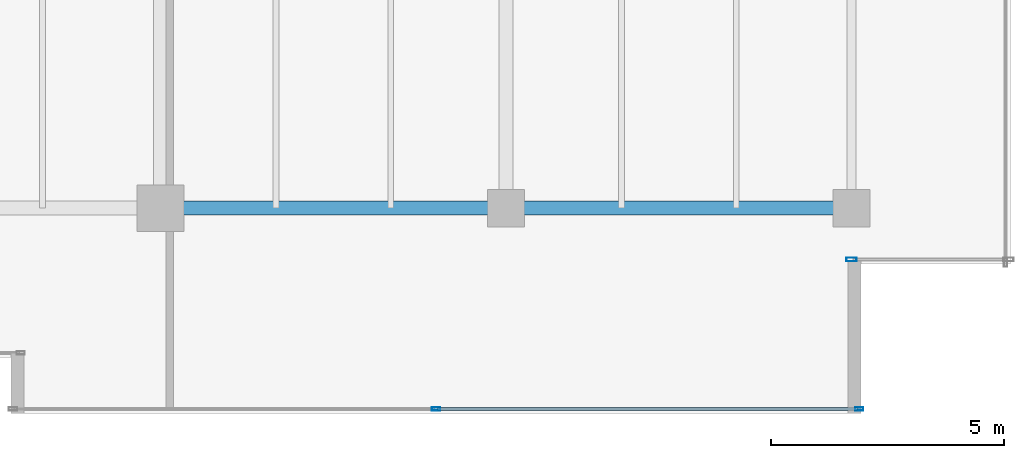
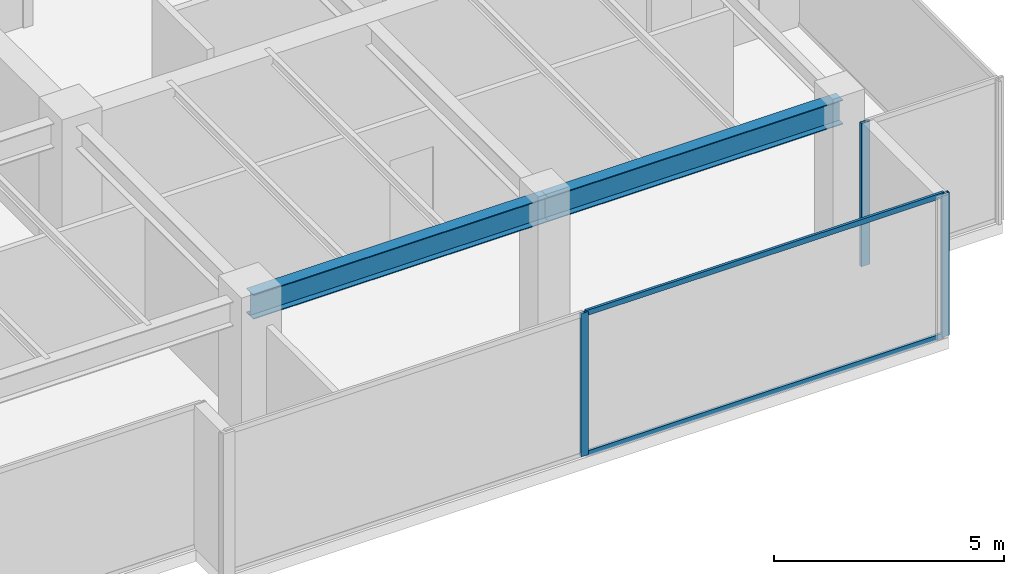
# One storey, part 13 of 33: 5 members, 2 beams, 2 elements without a shape of their own.
"""IFC4 building model written with IfcOpenShell, lengths in metres."""

from ifc_helpers import new_model, si_unit, direction, frame, origin, origin_2d, place, context, subcontext, project, spatial, hollow_rectangle, i_section, extrude, source, transform, mapped, material, layer, layer_set, material_profile, profile_set, type_object, type_shapes, element, aggregate, save


model = new_model("IFC4")

# Units and contexts
model_context = context("Model", 3, precision=1e-05, world=origin(), true_north=direction((0.0, 1.0)))
body_context = subcontext(model_context, "Body", "Model", "MODEL_VIEW")
ifc_project = project(units=[si_unit("LENGTHUNIT", "METRE"), si_unit("AREAUNIT", "SQUARE_METRE"), si_unit("VOLUMEUNIT", "CUBIC_METRE"), si_unit("PLANEANGLEUNIT", "RADIAN"), si_unit("MASSUNIT", "GRAM", prefix="KILO")], contexts=[model_context])

# Site, building, storey
site_placement = place(None, origin())
site = spatial("IfcSite", under=ifc_project, at=site_placement, CompositionType="ELEMENT")
building_placement = place(site_placement, origin())
building = spatial("IfcBuilding", under=site, at=building_placement, Name="Haelvirn Gate Laboratories", CompositionType="ELEMENT")
storey_placement = place(building_placement, frame((0.0, 0.0, 267.0)))
storey = spatial("IfcBuildingStorey", under=building, at=storey_placement, Name="L64", CompositionType="ELEMENT", Elevation=267.0)

# Beams
ifc_material_1 = material(Name="Steel SM355", Category="steel")
ifc_material_profile_1 = material_profile(ifc_material_1, i_section(OverallWidth=0.300048828125, OverallDepth=0.64990234375, WebThickness=0.012939453125, FlangeThickness=0.02197265625, at=origin_2d()), Name="H-650x300x13x22")
ifc_profile_set_1 = profile_set([ifc_material_profile_1], Name="Steel SM355")
beam_type = type_object("IfcBeamType", Name="BM-G-650", PredefinedType="BEAM", material=ifc_profile_set_1)
shared_shape_1 = source(origin(), body_context, "Body", "SweptSolid", [
    extrude(i_section(OverallWidth=0.300048828125, OverallDepth=0.64990234375, WebThickness=0.012939453125, FlangeThickness=0.02197265625, at=origin_2d()), origin(), (0.0, 0.0, 1.0), 7.39990234375),
])
type_shapes(beam_type, [shared_shape_1])
for number, where, z_axis, x_axis, name in (
    (1, (52.60009765625, 7.0, 3.47509765625), (1.0, 0.0, 0.0), (0.0, 1.0, 0.0), "L64 Primary Girder Y7.0 (52.6-60.0)"),
    (2, (60.0, 7.0, 3.47509765625), (1.0, 0.0, 0.0), (0.0, 1.0, 0.0), "L64 Primary Girder Y7.0 (60.0-67.4)"),
):
    element("IfcBeam", number, at=place(storey_placement, frame(where, z_axis=z_axis, x_axis=x_axis)), inside=storey, type_object=beam_type, Name=name, PredefinedType="BEAM", context=body_context, shape_type="MappedRepresentation", body=[
        mapped(shared_shape_1, transform((0.0, 0.0, 0.0), scale=1.0)),
    ])

# Curtain wall, members
ifc_material_2 = material(Name="Anodised bronze unitised aluminium & triple low-E glass", Category="aluminium")
ifc_layer_1 = layer(ifc_material_2, 0.176025390625, Name="CW-SYS-4")
ifc_layer_set_1 = layer_set([ifc_layer_1], Name="Anodised bronze unitised aluminium & triple low-E glass")
curtain_wall_type_1 = type_object("IfcCurtainWallType", Name="CW-SYS-4", PredefinedType="NOTDEFINED", material=ifc_layer_set_1)
curtain_wall_1_placement = place(storey_placement, origin())
curtain_wall_1 = element("IfcCurtainWall", 3, at=curtain_wall_1_placement, inside=storey, type_object=curtain_wall_type_1, Name="L64 Unitised Curtain Wall CW-L64-P0-E04-1", PredefinedType="NOTDEFINED")
ifc_material_3 = material(Name="Extruded aluminium 6063-T6 (anodised bronze)", Category="aluminium")
ifc_material_profile_2 = material_profile(ifc_material_3, hollow_rectangle(XDim=0.06494140625, YDim=0.139892578125, WallThickness=0.00390625, at=origin_2d()), Name="CWT-140x65x4")
ifc_profile_set_2 = profile_set([ifc_material_profile_2], Name="Extruded aluminium 6063-T6 (anodised bronze)")
member_type_1 = type_object("IfcMemberType", Name="CWT-T140", PredefinedType="USERDEFINED", material=ifc_profile_set_2)
shared_shape_2 = source(origin(), body_context, "Body", "SweptSolid", [
    extrude(hollow_rectangle(XDim=0.06494140625, YDim=0.139892578125, WallThickness=0.00390625, at=origin_2d()), origin(), (0.0, 0.0, 1.0), 8.9951171875),
])
type_shapes(member_type_1, [shared_shape_2])
member_1_placement = place(storey_placement, frame((58.534912109375, 2.699951171875, 0.032470703125), z_axis=(1.0, 0.0, 0.0), x_axis=(0.0, 1.0, 0.0)))
member_1 = element("IfcMember", 4, at=member_1_placement, type_object=member_type_1, Name="CW4 transom 2.1", ObjectType="TRANSOM", PredefinedType="USERDEFINED", context=body_context, shape_type="MappedRepresentation", body=[
    mapped(shared_shape_2, transform((0.0, 0.0, 0.0), scale=1.0)),
])
member_2_placement = place(storey_placement, frame((58.534912109375, 2.699951171875, 3.767578125), z_axis=(1.0, 0.0, 0.0), x_axis=(0.0, 1.0, 0.0)))
member_2 = element("IfcMember", 5, at=member_2_placement, type_object=member_type_1, Name="CW4 transom 2.2", ObjectType="TRANSOM", PredefinedType="USERDEFINED", context=body_context, shape_type="MappedRepresentation", body=[
    mapped(shared_shape_2, transform((0.0, 0.0, 0.0), scale=1.0)),
])
ifc_material_profile_3 = material_profile(ifc_material_3, hollow_rectangle(XDim=0.070068359375, YDim=0.179931640625, WallThickness=0.0048828125, at=origin_2d()), Name="CWM-180x70x5")
ifc_profile_set_3 = profile_set([ifc_material_profile_3], Name="Extruded aluminium 6063-T6 (anodised bronze)")
member_type_2 = type_object("IfcMemberType", Name="CWM-T180", PredefinedType="MULLION", material=ifc_profile_set_3)
shared_shape_3 = source(origin(), body_context, "Body", "SweptSolid", [
    extrude(hollow_rectangle(XDim=0.070068359375, YDim=0.179931640625, WallThickness=0.0048828125, at=origin_2d()), origin(), (0.0, 0.0, 1.0), 3.800048828125),
])
type_shapes(member_type_2, [shared_shape_3])
member_3_placement = place(storey_placement, frame((58.5, 2.699951171875, 0.0), z_axis=(0.0, 0.0, 1.0), x_axis=(0.0, 1.0, 0.0)))
member_3 = element("IfcMember", 6, at=member_3_placement, type_object=member_type_2, Name="CW4 mullion 2", PredefinedType="MULLION", context=body_context, shape_type="MappedRepresentation", body=[
    mapped(shared_shape_3, transform((0.0, 0.0, 0.0), scale=1.0)),
])
member_4_placement = place(storey_placement, frame((67.56494140625, 2.699951171875, 0.0), z_axis=(0.0, 0.0, 1.0), x_axis=(0.0, 1.0, 0.0)))
member_4 = element("IfcMember", 7, at=member_4_placement, type_object=member_type_2, Name="CW4 mullion 3", PredefinedType="MULLION", context=body_context, shape_type="MappedRepresentation", body=[
    mapped(shared_shape_3, transform((0.0, 0.0, 0.0), scale=1.0)),
])
aggregate(curtain_wall_1, [member_3, member_4, member_1, member_2])

# Curtain wall, member
ifc_layer_2 = layer(ifc_material_2, 0.181884765625, Name="CW-SYS-5")
ifc_layer_set_2 = layer_set([ifc_layer_2], Name="Anodised bronze unitised aluminium & triple low-E glass")
curtain_wall_type_2 = type_object("IfcCurtainWallType", Name="CW-SYS-5", PredefinedType="NOTDEFINED", material=ifc_layer_set_2)
curtain_wall_2_placement = place(storey_placement, origin())
curtain_wall_2 = element("IfcCurtainWall", 8, at=curtain_wall_2_placement, inside=storey, type_object=curtain_wall_type_2, Name="L64 Unitised Curtain Wall CW-L64-P0-E06-1", PredefinedType="NOTDEFINED")
ifc_material_profile_4 = material_profile(ifc_material_3, hollow_rectangle(XDim=0.080078125, YDim=0.219970703125, WallThickness=0.006103515625, at=origin_2d()), Name="CWM-220x80x6")
ifc_profile_set_4 = profile_set([ifc_material_profile_4], Name="Extruded aluminium 6063-T6 (anodised bronze)")
member_type_3 = type_object("IfcMemberType", Name="CWM-T220", PredefinedType="MULLION", material=ifc_profile_set_4)
shared_shape_4 = source(origin(), body_context, "Body", "SweptSolid", [
    extrude(hollow_rectangle(XDim=0.080078125, YDim=0.219970703125, WallThickness=0.006103515625, at=origin_2d()), origin(), (0.0, 0.0, 1.0), 3.800048828125),
])
type_shapes(member_type_3, [shared_shape_4])
member_5_placement = place(storey_placement, frame((67.39990234375, 5.89990234375, 0.0), z_axis=(0.0, 0.0, 1.0), x_axis=(0.0, 1.0, 0.0)))
member_5 = element("IfcMember", 9, at=member_5_placement, type_object=member_type_3, Name="CW5 mullion 1", PredefinedType="MULLION", context=body_context, shape_type="MappedRepresentation", body=[
    mapped(shared_shape_4, transform((0.0, 0.0, 0.0), scale=1.0)),
])
aggregate(curtain_wall_2, [member_5])

save(model, "model.ifc")
